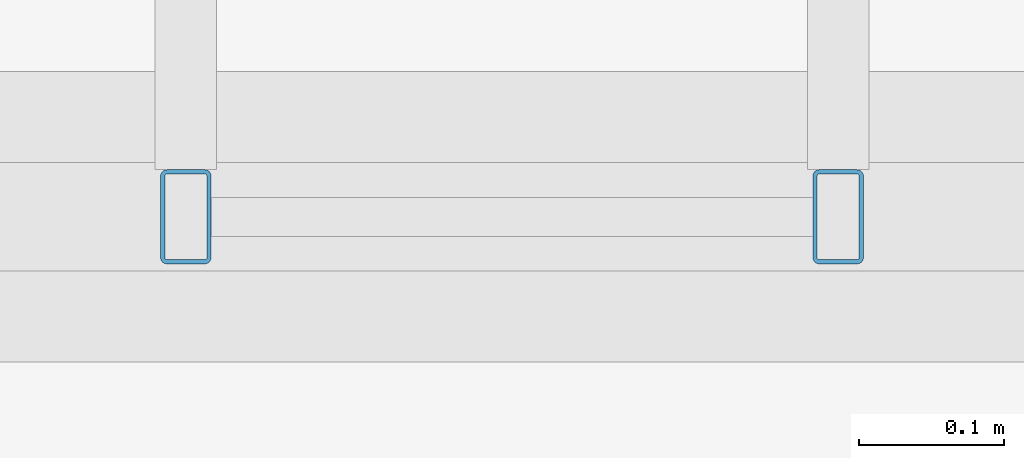
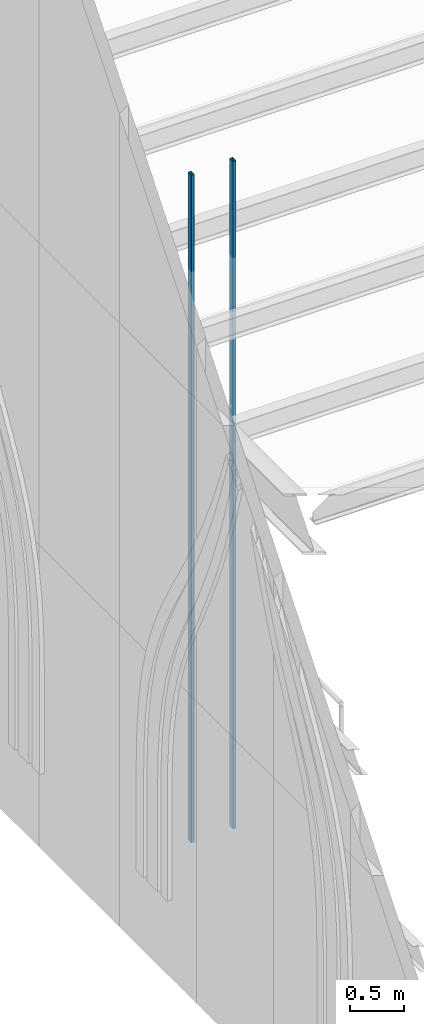
# One storey, part 2 of 43: 2 members.
"""IFC4 building model written with IfcOpenShell, lengths in metres."""

import ifcopenshell
import ifcopenshell.guid

model = None  # the IFC model being written
_history = None  # IfcOwnerHistory: only IFC2X3 demands one
_inside = {}  # id of a spatial element -> (the spatial element, [elements in it])
_under = {}  # id of a project, library or spatial element -> (it, [spatial elements below it])
_declared = {}  # id of a project -> (the project, [libraries it declares])
_typed = {}  # id of a type object -> (the type object, [elements of that type])
_made_of = {}  # id of a material, layer set ... -> (it, [elements and type objects made of it])


def new_model(schema):
    """Start an empty IFC model of exactly this schema.

    Asked for "IFC4X3", IfcOpenShell would pick the latest addendum, in which some entities
    have other attributes; the version numbers below select the first issue.
    IFC2X3 requires an IfcOwnerHistory on every rooted entity: one is made here for all.
    """
    global model, _history
    if schema == "IFC4X3":
        model = ifcopenshell.file(schema_version=(4, 3, 0, 0))
    else:
        model = ifcopenshell.file(schema=schema)
    _inside.clear()
    _under.clear()
    _declared.clear()
    _typed.clear()
    _made_of.clear()
    _history = None
    if model.schema == "IFC2X3":
        org = make("IfcOrganization", Name="unknown")
        user = make(
            "IfcPersonAndOrganization",
            ThePerson=make("IfcPerson", FamilyName="unknown"),
            TheOrganization=org,
        )
        app = make(
            "IfcApplication",
            ApplicationDeveloper=org,
            Version="unknown",
            ApplicationFullName="unknown",
            ApplicationIdentifier="unknown",
        )
        _history = make(
            "IfcOwnerHistory",
            OwningUser=user,
            OwningApplication=app,
            ChangeAction="ADDED",
            CreationDate=0,
        )
    return model


def make(cls, **values):
    """One entity of the class cls with the attributes given. An attribute that is None is left unset."""
    return model.create_entity(
        cls, **{name: value for name, value in values.items() if value is not None}
    )


def rooted(cls, **values):
    """An entity with a GlobalId (a new one), such as an element, a storey or a relation."""
    return make(cls, GlobalId=ifcopenshell.guid.new(), OwnerHistory=_history, **values)


def si_unit(unit_type, name, prefix=None):
    """IfcSIUnit, for example si_unit("LENGTHUNIT", "METRE", prefix="MILLI")."""
    return make("IfcSIUnit", UnitType=unit_type, Prefix=prefix, Name=name)


def assignment(units):
    """IfcUnitAssignment: the units of a project."""
    return None if units is None else make("IfcUnitAssignment", Units=units)


def point(xyz):
    """IfcCartesianPoint."""
    return None if xyz is None else make("IfcCartesianPoint", Coordinates=xyz)


def direction(xyz):
    """IfcDirection."""
    return None if xyz is None else make("IfcDirection", DirectionRatios=xyz)


def frame(location, z_axis=None, x_axis=None):
    """IfcAxis2Placement3D, a coordinate frame: its origin and axes. An axis left out is left unset."""
    return make(
        "IfcAxis2Placement3D",
        Location=point(location),
        Axis=direction(z_axis),
        RefDirection=direction(x_axis),
    )


def frame_2d(location, x_axis=None):
    """IfcAxis2Placement2D, a coordinate frame in the plane: its origin and x axis."""
    return make(
        "IfcAxis2Placement2D", Location=point(location), RefDirection=direction(x_axis)
    )


def origin():
    """The frame at (0, 0, 0) with its axes left unset."""
    return frame((0.0, 0.0, 0.0))


def origin_2d():
    """The frame at (0, 0) in the plane with its x axis left unset."""
    return frame_2d((0.0, 0.0))


def place(relative_to, where):
    """IfcLocalPlacement: puts the frame where relative to a parent placement (None: the world)."""
    return make(
        "IfcLocalPlacement", PlacementRelTo=relative_to, RelativePlacement=where
    )


def context(
    kind, dimensions, precision=None, world=None, true_north=None, identifier=None
):
    """IfcGeometricRepresentationContext, for example the 3D "Model" context."""
    return make(
        "IfcGeometricRepresentationContext",
        ContextIdentifier=identifier,
        ContextType=kind,
        CoordinateSpaceDimension=dimensions,
        Precision=precision,
        WorldCoordinateSystem=world,
        TrueNorth=true_north,
    )


def subcontext(parent, identifier, kind, view, scale=None):
    """IfcGeometricRepresentationSubContext, for example "Body" below "Model"."""
    return make(
        "IfcGeometricRepresentationSubContext",
        ContextIdentifier=identifier,
        ContextType=kind,
        ParentContext=parent,
        TargetScale=scale,
        TargetView=view,
    )


def project(units=None, contexts=None):
    """IfcProject with its units and contexts."""
    return rooted(
        "IfcProject",
        Name="project",
        RepresentationContexts=contexts,
        UnitsInContext=assignment(units),
    )


def spatial(cls, under=None, at=None, **own):
    """A site, building, storey or space (cls), placed at a placement, below another one or the project."""
    s = rooted(cls, ObjectPlacement=at, **own)
    if under is not None:
        _under.setdefault(under.id(), (under, []))[1].append(s)
    return s


def profile(cls, at=None, kind="AREA", **sizes):
    """A parametric profile (cls). Its sizes go by their IFC names, for example OverallWidth=200.0."""
    return make(cls, ProfileType=kind, Position=at, **sizes)


def hollow_rectangle(**sizes):
    """IfcRectangleHollowProfileDef."""
    return profile("IfcRectangleHollowProfileDef", **sizes)


def extrude(swept, where, along, depth):
    """IfcExtrudedAreaSolid: the profile swept, set in the frame where, extruded along a direction by depth."""
    return make(
        "IfcExtrudedAreaSolid",
        SweptArea=swept,
        Position=where,
        ExtrudedDirection=direction(along),
        Depth=depth,
    )


def shape(context_of_items, identifier, shape_type, items):
    """IfcShapeRepresentation: the items that make up one representation, for example the "Body"."""
    return make(
        "IfcShapeRepresentation",
        ContextOfItems=context_of_items,
        RepresentationIdentifier=identifier,
        RepresentationType=shape_type,
        Items=items,
    )


def material(Name=None, Category=None):
    """IfcMaterial."""
    return make("IfcMaterial", Name=Name, Category=Category)


def material_profile(
    of_material, cross_section, Name=None, Category=None, Priority=None
):
    """IfcMaterialProfile: a cross section and its material."""
    return make(
        "IfcMaterialProfile",
        Name=Name,
        Material=of_material,
        Profile=cross_section,
        Priority=Priority,
        Category=Category,
    )


def profile_set(profiles, Name=None, composite=None):
    """IfcMaterialProfileSet."""
    return make(
        "IfcMaterialProfileSet",
        Name=Name,
        MaterialProfiles=profiles,
        CompositeProfile=composite,
    )


def made_of(thing, what):
    """Note that an element or type object is made of a material, layer set ...; save() writes the relation."""
    if what is not None:
        _made_of.setdefault(what.id(), (what, []))[1].append(thing)
    return thing


def type_object(cls, material=None, **own):
    """A type object (cls), such as IfcWallType, which elements share."""
    return made_of(rooted(cls, **own), material)


def element(
    cls,
    number,
    at=None,
    inside=None,
    cuts=None,
    type_object=None,
    material=None,
    context=None,
    identifier="Body",
    shape_type=None,
    held_by="IfcProductDefinitionShape",
    body=None,
    shapes=None,
    **own,
):
    """One element of the class cls, such as IfcWall. Its Tag is "e" and its number.

    at: its placement. inside: the storey or other place that contains it. cuts: it is an
    opening in that element (IfcRelVoidsElement). A single representation is given by context,
    identifier, shape_type and body (its items); several are given by shapes. held_by: the class
    of the entity that holds the representations. save() writes the other relations.
    """
    e = rooted(cls, Tag="e%d" % number, ObjectPlacement=at, **own)
    if body is not None:
        shapes = [shape(context, identifier, shape_type, body)]
    if shapes is not None:
        e.Representation = make(held_by, Representations=shapes)
    if inside is not None:
        _inside.setdefault(inside.id(), (inside, []))[1].append(e)
    if cuts is not None:
        rooted(
            "IfcRelVoidsElement", RelatingBuildingElement=cuts, RelatedOpeningElement=e
        )
    if type_object is not None:
        _typed.setdefault(type_object.id(), (type_object, []))[1].append(e)
    return made_of(e, material)


def aggregate(whole, parts):
    """IfcRelAggregates: a whole, such as a stair, and the parts it consists of."""
    return rooted("IfcRelAggregates", RelatingObject=whole, RelatedObjects=parts)


def save(model, path):
    """Write the relations noted so far, then the file.

    IfcRelAggregates (storeys below a building ...), IfcRelContainedInSpatialStructure (elements
    in a storey), IfcRelDefinesByType, IfcRelAssociatesMaterial and IfcRelDeclares: one each for
    every whole, place, type object, material and project.
    """
    for whole, parts in _under.values():
        aggregate(whole, parts)
    for where, things in _inside.values():
        rooted(
            "IfcRelContainedInSpatialStructure",
            RelatedElements=things,
            RelatingStructure=where,
        )
    for kind, things in _typed.values():
        rooted("IfcRelDefinesByType", RelatedObjects=things, RelatingType=kind)
    for what, things in _made_of.values():
        rooted("IfcRelAssociatesMaterial", RelatedObjects=things, RelatingMaterial=what)
    for by, libraries in _declared.values():
        rooted("IfcRelDeclares", RelatingContext=by, RelatedDefinitions=libraries)
    model.write(path)


model = new_model("IFC4")

# Units and contexts
model_context = context("Model", 3, precision=1e-05, world=origin(), true_north=direction((0.0, 1.0)))
body_context = subcontext(model_context, "Body", "Model", "MODEL_VIEW")
ifc_project = project(units=[si_unit("LENGTHUNIT", "METRE"), si_unit("AREAUNIT", "SQUARE_METRE"), si_unit("VOLUMEUNIT", "CUBIC_METRE"), si_unit("PLANEANGLEUNIT", "RADIAN"), si_unit("MASSUNIT", "GRAM", prefix="KILO")], contexts=[model_context])

# Site, building, storey
site_placement = place(None, origin())
site = spatial("IfcSite", under=ifc_project, at=site_placement, CompositionType="ELEMENT")
building_placement = place(site_placement, origin())
building = spatial("IfcBuilding", under=site, at=building_placement, Name="Saffron Lane Theatres", CompositionType="ELEMENT")
storey_placement = place(building_placement, frame((0.0, 0.0, 23.0)))
storey = spatial("IfcBuildingStorey", under=building, at=storey_placement, Name="Roof", CompositionType="ELEMENT", Elevation=23.0)

# Members
ifc_material = material(Name="Steel Grade 350", Category="steel")
ifc_material_profile = material_profile(ifc_material, hollow_rectangle(XDim=0.034912109375, YDim=0.06494140625, WallThickness=0.0029296875, InnerFilletRadius=0.00146484375, OuterFilletRadius=0.00439453125, at=origin_2d()))
ifc_profile_set = profile_set([ifc_material_profile], Name="Steel Grade 350")
member_type = type_object("IfcMemberType", Name="ST-LADDER STILE 65x35x3 RHS", PredefinedType="STRINGER", material=ifc_profile_set)
for number, where, z_axis, x_axis, name in (
    (1, (19.199951171875, 37.0, 0.0), (0.0, 0.0, 1.0), (1.0, 0.0, 0.0), "LS1"),
    (2, (19.64990234375, 37.0, 0.0), (0.0, 0.0, 1.0), (1.0, 0.0, 0.0), "LS2"),
):
    element("IfcMember", number, at=place(storey_placement, frame(where, z_axis=z_axis, x_axis=x_axis)), inside=storey, type_object=member_type, Name=name, PredefinedType="STRINGER", context=body_context, shape_type="SweptSolid", body=[
        extrude(hollow_rectangle(XDim=0.034912109375, YDim=0.06494140625, WallThickness=0.0029296875, InnerFilletRadius=0.00146484375, OuterFilletRadius=0.00439453125, at=origin_2d()), origin(), (0.0, 0.0, 1.0), 7.60009765625),
    ])

save(model, "model.ifc")
